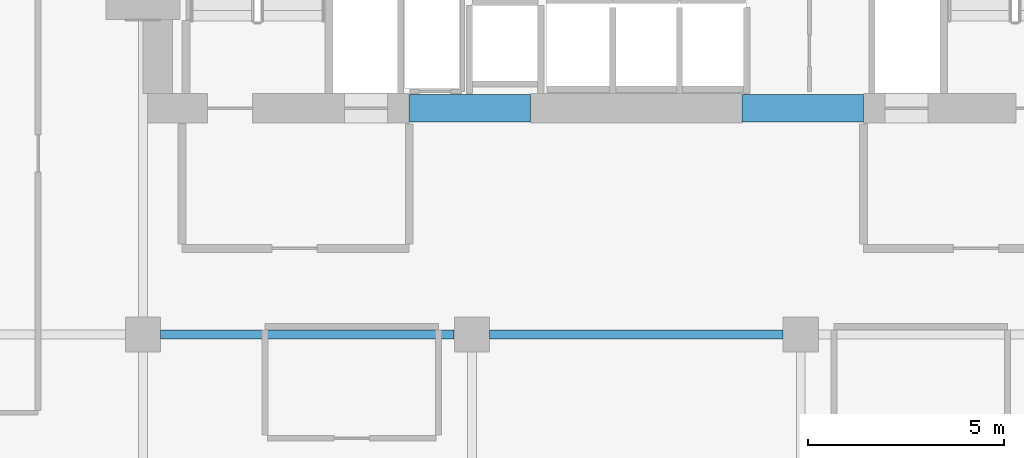
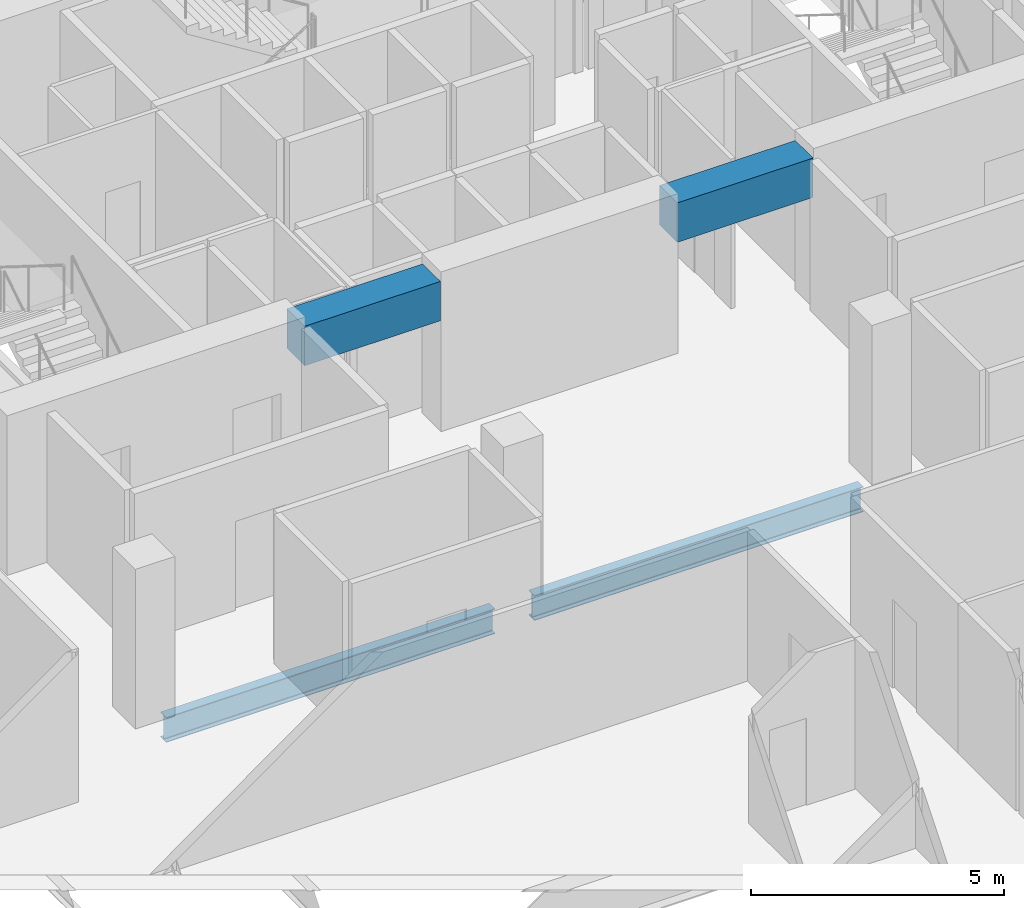
# One storey, part 21 of 32: 4 beams.
"""IFC4 building model written with IfcOpenShell, lengths in metres."""

from ifc_helpers import new_model, si_unit, direction, frame, origin, origin_2d, place, context, subcontext, project, spatial, rectangle, i_section, extrude, material, material_profile, profile_set, type_object, element, save


model = new_model("IFC4")

# Units and contexts
model_context = context("Model", 3, precision=1e-05, world=origin(), true_north=direction((0.0, 1.0)))
body_context = subcontext(model_context, "Body", "Model", "MODEL_VIEW")
ifc_project = project(units=[si_unit("LENGTHUNIT", "METRE"), si_unit("AREAUNIT", "SQUARE_METRE"), si_unit("VOLUMEUNIT", "CUBIC_METRE"), si_unit("PLANEANGLEUNIT", "RADIAN"), si_unit("MASSUNIT", "GRAM", prefix="KILO")], contexts=[model_context])

# Site, building, storey
site_placement = place(None, origin())
site = spatial("IfcSite", under=ifc_project, at=site_placement, CompositionType="ELEMENT")
building_placement = place(site_placement, origin())
building = spatial("IfcBuilding", under=site, at=building_placement, Name="Maruvema Waterfront Hotel and Observation Tower", CompositionType="ELEMENT")
storey_placement = place(building_placement, frame((0.0, 0.0, 165.89990234375)))
storey = spatial("IfcBuildingStorey", under=building, at=storey_placement, Name="L40", CompositionType="ELEMENT", Elevation=165.89990234375)

# Beams
ifc_material_1 = material(Name="Concrete C60/75", Category="concrete")
ifc_material_profile_1 = material_profile(ifc_material_1, rectangle(XDim=0.699951171875, YDim=0.949951171875, at=origin_2d()), Name="CB700x950")
ifc_profile_set_1 = profile_set([ifc_material_profile_1], Name="Concrete C60/75")
beam_type_1 = type_object("IfcBeamType", Name="Core Coupling Lintel Beam CB700x950", PredefinedType="LINTEL", material=ifc_profile_set_1)
for number, where, z_axis, x_axis, name in (
    (1, (32.0, 41.77490234375, 3.135009765625), (1.0, 0.0, 0.0), (0.0, 1.0, 0.0), "L40 Core Coupling Lintel Beam West"),
    (2, (40.5, 41.77490234375, 3.135009765625), (1.0, 0.0, 0.0), (0.0, 1.0, 0.0), "L40 Core Coupling Lintel Beam East"),
):
    element("IfcBeam", number, at=place(storey_placement, frame(where, z_axis=z_axis, x_axis=x_axis)), inside=storey, type_object=beam_type_1, Name=name, PredefinedType="LINTEL", context=body_context, shape_type="SweptSolid", body=[
        extrude(rectangle(XDim=0.699951171875, YDim=0.949951171875, at=origin_2d()), origin(), (0.0, 0.0, 1.0), 3.10009765625),
    ])
ifc_material_2 = material(Name="Steel ASTM A572 Grade 50", Category="steel")
ifc_material_profile_2 = material_profile(ifc_material_2, i_section(OverallWidth=0.22802734375, OverallDepth=0.60302734375, WebThickness=0.010498046875, FlangeThickness=0.014892578125, FilletRadius=0.01806640625, at=origin_2d()), Name="W610x101.0")
ifc_profile_set_2 = profile_set([ifc_material_profile_2], Name="Steel ASTM A572 Grade 50")
beam_type_2 = type_object("IfcBeamType", Name="Primary Floor Girder W610x101.0", PredefinedType="BEAM", material=ifc_profile_set_2)
for number, where, z_axis, x_axis, name in (
    (3, (25.64990234375, 36.0, -0.54150390625), (1.0, 0.0, 0.0), (0.0, 1.0, 0.0), "L40 Floor Girder EW-25"),
    (4, (34.050048828125, 36.0, -0.54150390625), (1.0, 0.0, 0.0), (0.0, 1.0, 0.0), "L40 Floor Girder EW-26"),
):
    element("IfcBeam", number, at=place(storey_placement, frame(where, z_axis=z_axis, x_axis=x_axis)), inside=storey, type_object=beam_type_2, Name=name, PredefinedType="BEAM", context=body_context, shape_type="SweptSolid", body=[
        extrude(i_section(OverallWidth=0.22802734375, OverallDepth=0.60302734375, WebThickness=0.010498046875, FlangeThickness=0.014892578125, FilletRadius=0.01806640625, at=origin_2d()), origin(), (0.0, 0.0, 1.0), 7.5),
    ])

save(model, "model.ifc")
